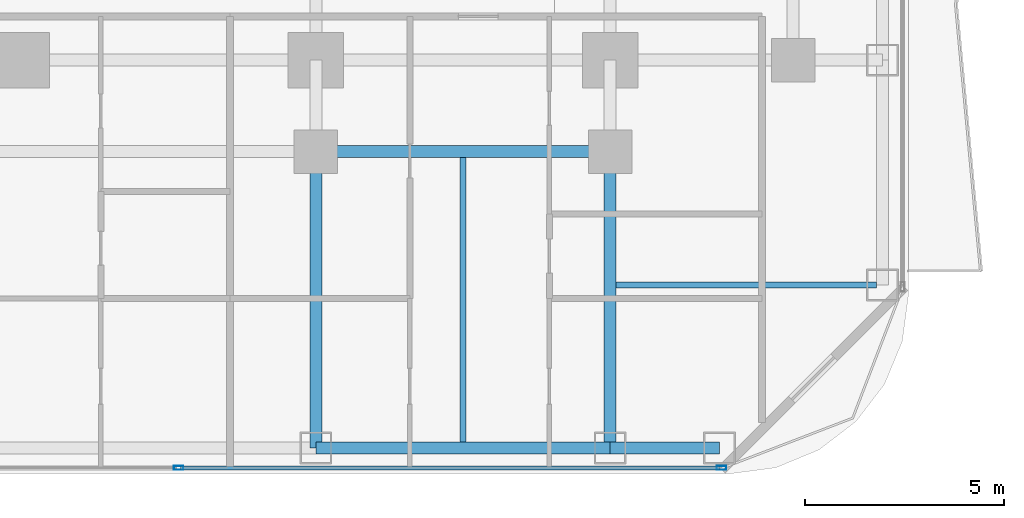
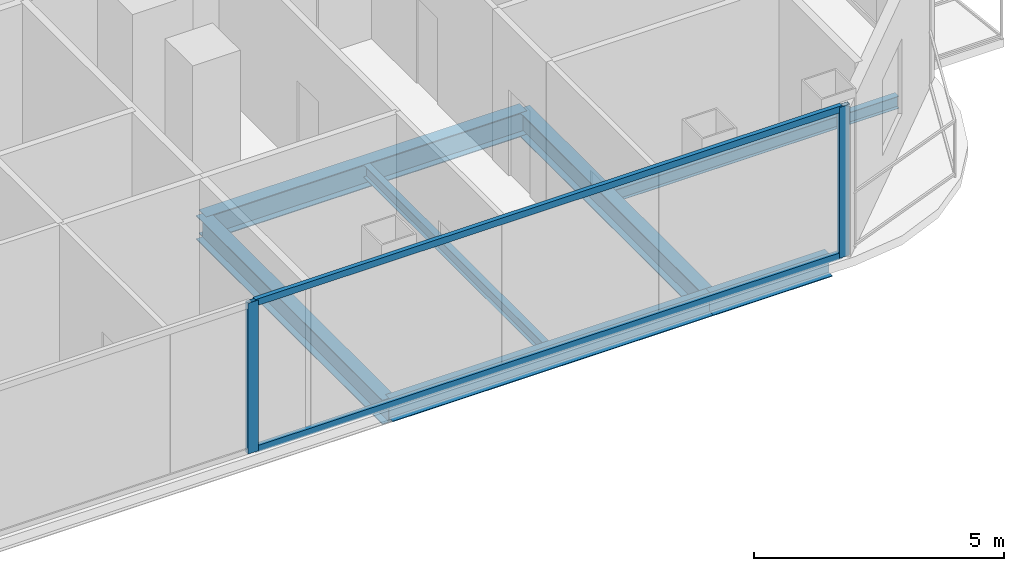
# One storey, part 8 of 29: 7 beams, 4 members, 1 element without a shape of its own.
"""IFC4 building model written with IfcOpenShell, lengths in metres."""

from ifc_helpers import new_model, si_unit, direction, frame, origin, origin_2d, place, context, subcontext, project, spatial, hollow_rectangle, i_section, extrude, material, layer, layer_set, material_profile, profile_set, type_object, element, aggregate, save


model = new_model("IFC4")

# Units and contexts
model_context = context("Model", 3, precision=1e-05, world=origin(), true_north=direction((0.0, 1.0)))
body_context = subcontext(model_context, "Body", "Model", "MODEL_VIEW")
ifc_project = project(units=[si_unit("LENGTHUNIT", "METRE"), si_unit("AREAUNIT", "SQUARE_METRE"), si_unit("VOLUMEUNIT", "CUBIC_METRE"), si_unit("PLANEANGLEUNIT", "RADIAN"), si_unit("MASSUNIT", "GRAM", prefix="KILO")], contexts=[model_context])

# Site, building, storey
site_placement = place(None, origin())
site = spatial("IfcSite", under=ifc_project, at=site_placement, CompositionType="ELEMENT")
building_placement = place(site_placement, origin())
building = spatial("IfcBuilding", under=site, at=building_placement, Name="Khorvyn Point Tower", CompositionType="ELEMENT")
storey_placement = place(building_placement, frame((0.0, 0.0, 61.800048828125)))
storey = spatial("IfcBuildingStorey", under=building, at=storey_placement, Name="L16", CompositionType="ELEMENT", Elevation=61.800048828125)

# Curtain wall, members
ifc_material_1 = material(Name="Anodised aluminium 6063-T6 and laminated Low-E glass", Category="aluminium")
ifc_layer = layer(ifc_material_1, 0.18994140625)
ifc_layer_set = layer_set([ifc_layer], Name="Stick-Built Finned Residential Curtain Wall CW-SYS-02")
curtain_wall_type = type_object("IfcCurtainWallType", Name="Stick-Built Finned Residential Curtain Wall CW-SYS-02", PredefinedType="NOTDEFINED", material=ifc_layer_set)
curtain_wall_placement = place(storey_placement, origin())
curtain_wall = element("IfcCurtainWall", 1, at=curtain_wall_placement, inside=storey, type_object=curtain_wall_type, Name="Curtain Wall", PredefinedType="NOTDEFINED")
ifc_material_2 = material(Name="Anodised aluminium 6063-T6", Category="aluminium")
ifc_material_profile_1 = material_profile(ifc_material_2, hollow_rectangle(XDim=0.10009765625, YDim=0.239990234375, WallThickness=0.0048828125, at=origin_2d()))
ifc_profile_set_1 = profile_set([ifc_material_profile_1], Name="Anodised aluminium 6063-T6 ALU-MUL-100x240")
member_type_1 = type_object("IfcMemberType", Name="Anodised Aluminium 6063-T6 Mullion ALU-MUL-100x240", PredefinedType="MULLION", material=ifc_profile_set_1)
member_1_placement = place(storey_placement, frame((17.60009765625, -25.050048828125, 0.0), z_axis=(0.0, 0.0, 1.0), x_axis=(0.0, -1.0, 0.0)))
member_1 = element("IfcMember", 2, at=member_1_placement, type_object=member_type_1, Name="Transom", PredefinedType="MULLION", context=body_context, shape_type="SweptSolid", body=[
    extrude(hollow_rectangle(XDim=0.10009765625, YDim=0.239990234375, WallThickness=0.0048828125, at=origin_2d()), origin(), (0.0, 0.0, 1.0), 3.679931640625),
])
member_2_placement = place(storey_placement, frame((3.949951171875, -25.050048828125, 0.0), z_axis=(0.0, 0.0, 1.0), x_axis=(0.0, -1.0, 0.0)))
member_2 = element("IfcMember", 3, at=member_2_placement, type_object=member_type_1, Name="Transom", PredefinedType="MULLION", context=body_context, shape_type="SweptSolid", body=[
    extrude(hollow_rectangle(XDim=0.10009765625, YDim=0.239990234375, WallThickness=0.0048828125, at=origin_2d()), origin(), (0.0, 0.0, 1.0), 3.679931640625),
])
ifc_material_profile_2 = material_profile(ifc_material_2, hollow_rectangle(XDim=0.10009765625, YDim=0.159912109375, WallThickness=0.00439453125, at=origin_2d()))
ifc_profile_set_2 = profile_set([ifc_material_profile_2], Name="Anodised aluminium 6063-T6 ALU-TRN-100x160")
member_type_2 = type_object("IfcMemberType", Name="Anodised Aluminium 6063-T6 Transom ALU-TRN-100x160", PredefinedType="USERDEFINED", material=ifc_profile_set_2)
member_3_placement = place(storey_placement, frame((17.550048828125, -25.050048828125, 0.050048828125), z_axis=(-1.0, 0.0, 0.0), x_axis=(0.0, -1.0, 0.0)))
member_3 = element("IfcMember", 4, at=member_3_placement, type_object=member_type_2, Name="Transom", ObjectType="TRANSOM", PredefinedType="USERDEFINED", context=body_context, shape_type="SweptSolid", body=[
    extrude(hollow_rectangle(XDim=0.10009765625, YDim=0.159912109375, WallThickness=0.00439453125, at=origin_2d()), origin(), (0.0, 0.0, 1.0), 13.550048828125),
])
member_4_placement = place(storey_placement, frame((17.550048828125, -25.050048828125, 3.6298828125), z_axis=(-1.0, 0.0, 0.0), x_axis=(0.0, -1.0, 0.0)))
member_4 = element("IfcMember", 5, at=member_4_placement, type_object=member_type_2, Name="Transom", ObjectType="TRANSOM", PredefinedType="USERDEFINED", context=body_context, shape_type="SweptSolid", body=[
    extrude(hollow_rectangle(XDim=0.10009765625, YDim=0.159912109375, WallThickness=0.00439453125, at=origin_2d()), origin(), (0.0, 0.0, 1.0), 13.550048828125),
])
aggregate(curtain_wall, [member_1, member_2, member_3, member_4])

# Beams
ifc_material_3 = material(Name="Steel S355", Category="steel")
ifc_material_profile_3 = material_profile(ifc_material_3, i_section(OverallWidth=0.300048828125, OverallDepth=0.587890625, WebThickness=0.011962890625, FlangeThickness=0.02001953125, at=origin_2d()))
ifc_profile_set_3 = profile_set([ifc_material_profile_3], Name="Steel S355 H588x300x12x20")
beam_type_1 = type_object("IfcBeamType", Name="Steel S355 Beam H588x300x12x20", PredefinedType="BEAM", material=ifc_profile_set_3)
beam_1_placement = place(storey_placement, frame((7.39990234375, -17.10009765625, -0.51416015625), z_axis=(1.0, 0.0, 0.0), x_axis=(0.0, 1.0, 0.0)))
element("IfcBeam", 6, at=beam_1_placement, inside=storey, type_object=beam_type_1, Name="Beam", PredefinedType="BEAM", context=body_context, shape_type="SweptSolid", body=[
    extrude(i_section(OverallWidth=0.300048828125, OverallDepth=0.587890625, WebThickness=0.011962890625, FlangeThickness=0.02001953125, at=origin_2d()), origin(), (0.0, 0.0, 1.0), 7.400146484375),
])
for number, where, z_axis, x_axis, name in (
    (7, (14.800048828125, -24.550048828125, -0.51416015625), (0.0, 1.0, 0.0), (-1.0, 0.0, 0.0), "Beam"),
    (8, (7.39990234375, -24.550048828125, -0.51416015625), (0.0, 1.0, 0.0), (-1.0, 0.0, 0.0), "Beam"),
):
    element("IfcBeam", number, at=place(storey_placement, frame(where, z_axis=z_axis, x_axis=x_axis)), inside=storey, type_object=beam_type_1, Name=name, PredefinedType="BEAM", context=body_context, shape_type="SweptSolid", body=[
        extrude(i_section(OverallWidth=0.300048828125, OverallDepth=0.587890625, WebThickness=0.011962890625, FlangeThickness=0.02001953125, at=origin_2d()), origin(), (0.0, 0.0, 1.0), 7.449951171875),
    ])
ifc_material_profile_4 = material_profile(ifc_material_3, i_section(OverallWidth=0.14990234375, OverallDepth=0.300048828125, WebThickness=0.006591796875, FlangeThickness=0.009033203125, at=origin_2d()))
ifc_profile_set_4 = profile_set([ifc_material_profile_4], Name="Steel S355 H300x150x6.5x9")
beam_type_2 = type_object("IfcBeamType", Name="Steel S355 Joist H300x150x6.5x9", PredefinedType="JOIST", material=ifc_profile_set_4)
beam_2_placement = place(storey_placement, frame((11.10009765625, -24.39990234375, -0.3701171875), z_axis=(0.0, 1.0, 0.0), x_axis=(-1.0, 0.0, 0.0)))
element("IfcBeam", 9, at=beam_2_placement, inside=storey, type_object=beam_type_2, Name="Beam", PredefinedType="JOIST", context=body_context, shape_type="SweptSolid", body=[
    extrude(i_section(OverallWidth=0.14990234375, OverallDepth=0.300048828125, WebThickness=0.006591796875, FlangeThickness=0.009033203125, at=origin_2d()), origin(), (0.0, 0.0, 1.0), 7.14990234375),
])
beam_3_placement = place(storey_placement, frame((14.949951171875, -20.449951171875, -0.3701171875), z_axis=(1.0, 0.0, 0.0), x_axis=(0.0, 1.0, 0.0)))
element("IfcBeam", 10, at=beam_3_placement, inside=storey, type_object=beam_type_2, Name="Beam", PredefinedType="JOIST", context=body_context, shape_type="SweptSolid", body=[
    extrude(i_section(OverallWidth=0.14990234375, OverallDepth=0.300048828125, WebThickness=0.006591796875, FlangeThickness=0.009033203125, at=origin_2d()), origin(), (0.0, 0.0, 1.0), 6.550048828125),
])
ifc_material_profile_5 = material_profile(ifc_material_3, i_section(OverallWidth=0.300048828125, OverallDepth=0.488037109375, WebThickness=0.010986328125, FlangeThickness=0.01806640625, at=origin_2d()))
ifc_profile_set_5 = profile_set([ifc_material_profile_5], Name="Steel S355 H488x300x11x18")
beam_type_3 = type_object("IfcBeamType", Name="Steel S355 Spandrel H488x300x11x18", PredefinedType="SPANDREL", material=ifc_profile_set_5)
beam_4_placement = place(storey_placement, frame((7.39990234375, -24.550048828125, -0.464111328125), z_axis=(1.0, 0.0, 0.0), x_axis=(0.0, 1.0, 0.0)))
element("IfcBeam", 11, at=beam_4_placement, inside=storey, type_object=beam_type_3, Name="Beam", PredefinedType="SPANDREL", context=body_context, shape_type="SweptSolid", body=[
    extrude(i_section(OverallWidth=0.300048828125, OverallDepth=0.488037109375, WebThickness=0.010986328125, FlangeThickness=0.01806640625, at=origin_2d()), origin(), (0.0, 0.0, 1.0), 7.400146484375),
])
beam_5_placement = place(storey_placement, frame((14.800048828125, -24.550048828125, -0.464111328125), z_axis=(1.0, 0.0, 0.0), x_axis=(0.0, 1.0, 0.0)))
element("IfcBeam", 12, at=beam_5_placement, inside=storey, type_object=beam_type_3, Name="Beam", PredefinedType="SPANDREL", context=body_context, shape_type="SweptSolid", body=[
    extrude(i_section(OverallWidth=0.300048828125, OverallDepth=0.488037109375, WebThickness=0.010986328125, FlangeThickness=0.01806640625, at=origin_2d()), origin(), (0.0, 0.0, 1.0), 2.75),
])

save(model, "model.ifc")
